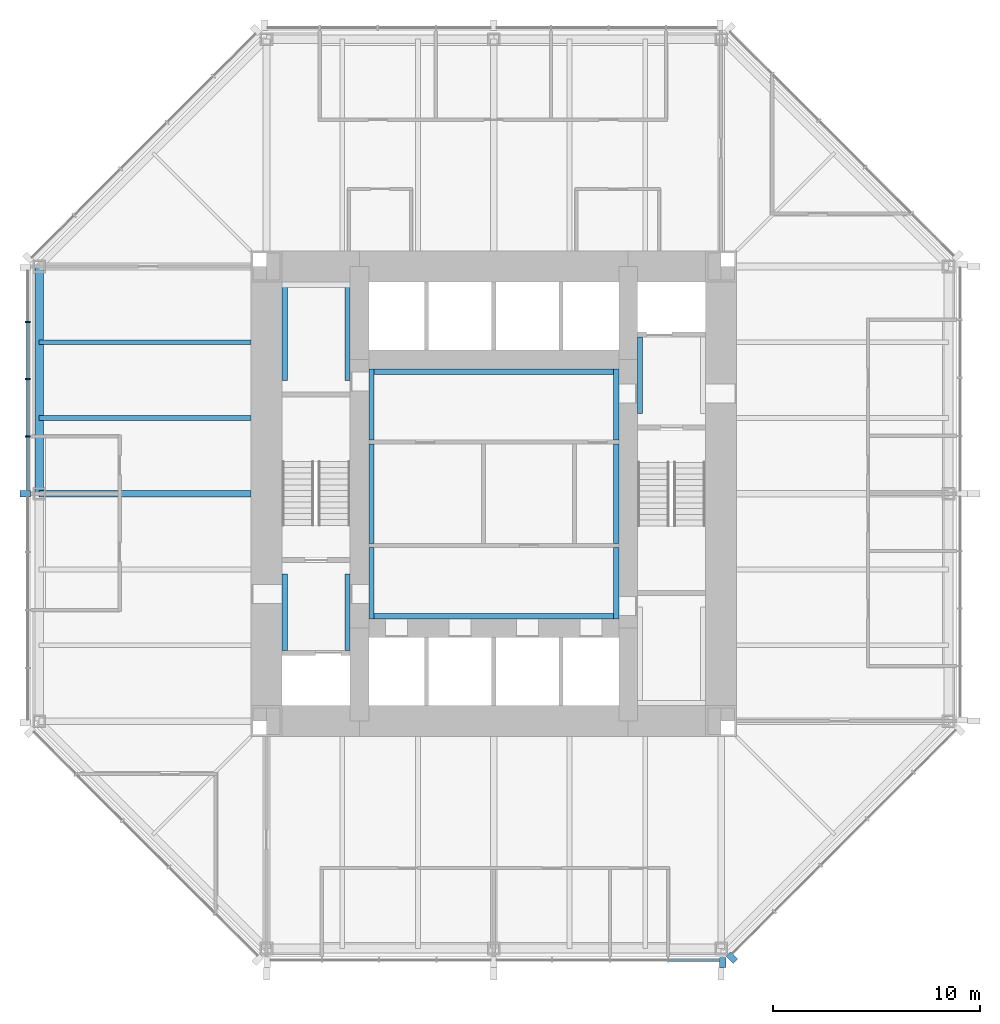
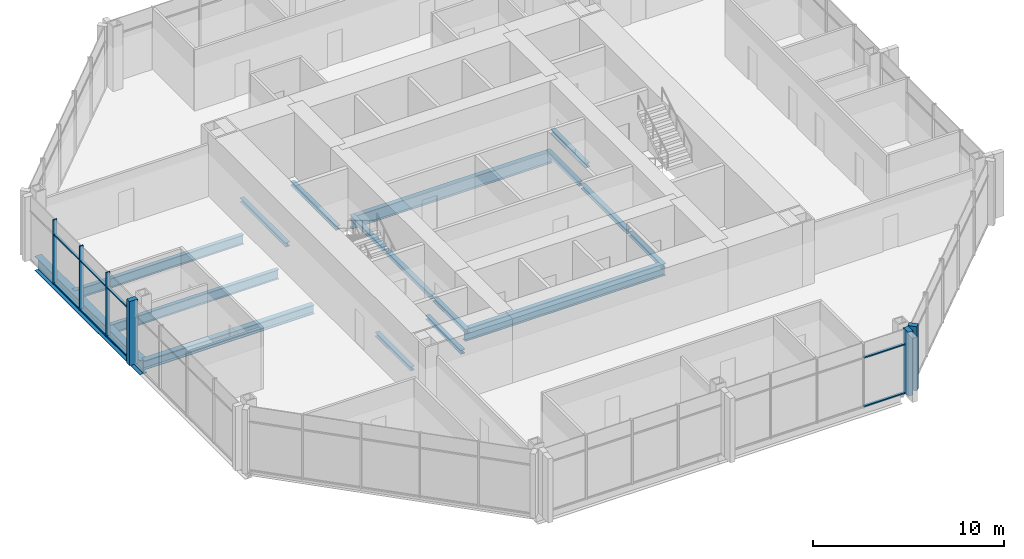
# One storey, part 3 of 12: 17 beams, 14 members, 3 elements without a shape of their own.
"""IFC4 building model written with IfcOpenShell, lengths in metres."""

from ifc_helpers import new_model, si_unit, direction, frame, origin, origin_2d, place, context, subcontext, project, spatial, rectangle, i_section, extrude, material, material_profile, profile_set, type_object, element, aggregate, save


model = new_model("IFC4")

# Units and contexts
model_context = context("Model", 3, precision=1e-05, world=origin(), true_north=direction((0.0, 1.0)))
body_context = subcontext(model_context, "Body", "Model", "MODEL_VIEW")
ifc_project = project(units=[si_unit("LENGTHUNIT", "METRE"), si_unit("AREAUNIT", "SQUARE_METRE"), si_unit("VOLUMEUNIT", "CUBIC_METRE"), si_unit("PLANEANGLEUNIT", "RADIAN"), si_unit("MASSUNIT", "GRAM", prefix="KILO")], contexts=[model_context])

# Site, building, storey
site_placement = place(None, origin())
site = spatial("IfcSite", under=ifc_project, at=site_placement, CompositionType="ELEMENT")
building_placement = place(site_placement, origin())
building = spatial("IfcBuilding", under=site, at=building_placement, Name="Trevanion Tower", CompositionType="ELEMENT")
storey_placement = place(building_placement, frame((0.0, 0.0, 154.10009765625)))
storey = spatial("IfcBuildingStorey", under=building, at=storey_placement, Name="L36", CompositionType="ELEMENT", Elevation=154.10009765625)

# Beams
ifc_material_1 = material(Name="Steel ASTM A992 Grade 50", Category="steel")
ifc_material_profile_1 = material_profile(ifc_material_1, i_section(OverallWidth=0.22900390625, OverallDepth=0.612060546875, WebThickness=0.011962890625, FlangeThickness=0.01953125, at=origin_2d()), Name="W24X84")
ifc_profile_set_1 = profile_set([ifc_material_profile_1], Name="Steel ASTM A992 Grade 50")
beam_type_1 = type_object("IfcBeamType", Name="B7 W24X84", PredefinedType="BEAM", material=ifc_profile_set_1)
for number, where, z_axis, x_axis, name in (
    (1, (-11.75, 7.333251953125, -0.49609375), (-1.0, 0.0, 0.0), (0.0, -1.0, 0.0), "B7 L36"),
    (2, (-11.75, 3.666748046875, -0.49609375), (-1.0, 0.0, 0.0), (0.0, -1.0, 0.0), "B7 L36"),
):
    element("IfcBeam", number, at=place(storey_placement, frame(where, z_axis=z_axis, x_axis=x_axis)), inside=storey, type_object=beam_type_1, Name=name, PredefinedType="BEAM", context=body_context, shape_type="SweptSolid", body=[
        extrude(i_section(OverallWidth=0.22900390625, OverallDepth=0.612060546875, WebThickness=0.011962890625, FlangeThickness=0.01953125, at=origin_2d()), origin(), (0.0, 0.0, 1.0), 10.25),
    ])

# Curtain wall, members
ifc_material_2 = material(Name="Aluminium and glass", Category="aluminium")
curtain_wall_type = type_object("IfcCurtainWallType", Name="CW2 curtain wall", PredefinedType="USERDEFINED", material=ifc_material_2)
curtain_wall_1_placement = place(storey_placement, origin())
curtain_wall_1 = element("IfcCurtainWall", 3, at=curtain_wall_1_placement, inside=storey, type_object=curtain_wall_type, Name="CW2 L36 4", ObjectType="UNITISED CURTAIN WALL", PredefinedType="USERDEFINED")
ifc_material_3 = material(Name="Aluminium extrusion, anodised bronze", Category="aluminium")
ifc_material_profile_2 = material_profile(ifc_material_3, rectangle(XDim=0.074951171875, YDim=0.25, at=origin_2d()), Name="CW2 mullion")
ifc_profile_set_2 = profile_set([ifc_material_profile_2], Name="Aluminium extrusion, anodised bronze")
member_type_1 = type_object("IfcMemberType", Name="CW2 mullion", PredefinedType="MULLION", material=ifc_profile_set_2)
member_1_placement = place(storey_placement, frame((-22.550048828125, 8.323486328125, -0.190185546875), z_axis=(0.0, 0.0, 1.0), x_axis=(0.0, -1.0, 0.0)))
member_1 = element("IfcMember", 4, at=member_1_placement, type_object=member_type_1, Name="CW2 mullion 2", PredefinedType="MULLION", context=body_context, shape_type="SweptSolid", body=[
    extrude(rectangle(XDim=0.074951171875, YDim=0.25, at=origin_2d()), origin(), (0.0, 0.0, 1.0), 4.10009765625),
])
member_2_placement = place(storey_placement, frame((-22.550048828125, 5.548828125, -0.190185546875), z_axis=(0.0, 0.0, 1.0), x_axis=(0.0, -1.0, 0.0)))
member_2 = element("IfcMember", 5, at=member_2_placement, type_object=member_type_1, Name="CW2 mullion 3", PredefinedType="MULLION", context=body_context, shape_type="SweptSolid", body=[
    extrude(rectangle(XDim=0.074951171875, YDim=0.25, at=origin_2d()), origin(), (0.0, 0.0, 1.0), 4.10009765625),
])
member_3_placement = place(storey_placement, frame((-22.550048828125, 2.7744140625, -0.190185546875), z_axis=(0.0, 0.0, 1.0), x_axis=(0.0, -1.0, 0.0)))
member_3 = element("IfcMember", 6, at=member_3_placement, type_object=member_type_1, Name="CW2 mullion 4", PredefinedType="MULLION", context=body_context, shape_type="SweptSolid", body=[
    extrude(rectangle(XDim=0.074951171875, YDim=0.25, at=origin_2d()), origin(), (0.0, 0.0, 1.0), 4.10009765625),
])
ifc_material_4 = material(Name="Aluminium extrusion, anodised bronze", Category="aluminium")
ifc_material_profile_3 = material_profile(ifc_material_4, rectangle(XDim=0.300048828125, YDim=0.5, at=origin_2d()), Name="CW2 pier mullion")
ifc_profile_set_3 = profile_set([ifc_material_profile_3], Name="Aluminium extrusion, anodised bronze")
member_type_2 = type_object("IfcMemberType", Name="CW2 pier mullion", PredefinedType="MULLION", material=ifc_profile_set_3)
member_4_placement = place(storey_placement, frame((-22.675048828125, 0.0, -0.190185546875), z_axis=(0.0, 0.0, 1.0), x_axis=(0.0, -1.0, 0.0)))
member_4 = element("IfcMember", 7, at=member_4_placement, type_object=member_type_2, Name="CW2 pier mullion 5", PredefinedType="MULLION", context=body_context, shape_type="SweptSolid", body=[
    extrude(rectangle(XDim=0.300048828125, YDim=0.5, at=origin_2d()), origin(), (0.0, 0.0, 1.0), 4.10009765625),
])

# Curtain wall, member
curtain_wall_2_placement = place(storey_placement, origin())
curtain_wall_2 = element("IfcCurtainWall", 8, at=curtain_wall_2_placement, inside=storey, type_object=curtain_wall_type, Name="CW2 L36 6", ObjectType="UNITISED CURTAIN WALL", PredefinedType="USERDEFINED")
member_5_placement = place(storey_placement, frame((11.077880859375, -22.675048828125, -0.190185546875), z_axis=(0.0, 0.0, 1.0), x_axis=(1.0, 0.0, 0.0)))
member_5 = element("IfcMember", 9, at=member_5_placement, type_object=member_type_2, Name="CW2 pier mullion 9", PredefinedType="MULLION", context=body_context, shape_type="SweptSolid", body=[
    extrude(rectangle(XDim=0.300048828125, YDim=0.5, at=origin_2d()), origin(), (0.0, 0.0, 1.0), 4.10009765625),
])

curtain_wall_3_placement = place(storey_placement, origin())
curtain_wall_3 = element("IfcCurtainWall", 10, at=curtain_wall_3_placement, inside=storey, type_object=curtain_wall_type, Name="CW2 L36 7", ObjectType="UNITISED CURTAIN WALL", PredefinedType="USERDEFINED")
member_6_placement = place(storey_placement, frame((11.51416015625, -22.4404296875, -0.190185546875), z_axis=(0.0, 0.0, 1.0), x_axis=(0.707106781187, 0.707106781187, 0.0)))
member_6 = element("IfcMember", 11, at=member_6_placement, type_object=member_type_2, Name="CW2 pier mullion 1", PredefinedType="MULLION", context=body_context, shape_type="SweptSolid", body=[
    extrude(rectangle(XDim=0.300048828125, YDim=0.5, at=origin_2d()), origin(), (0.0, 0.0, 1.0), 4.10009765625),
])
aggregate(curtain_wall_3, [member_6])

# Member
ifc_material_5 = material(Name="Aluminium extrusion, anodised bronze", Category="aluminium")
ifc_material_profile_4 = material_profile(ifc_material_5, rectangle(XDim=0.14990234375, YDim=0.074951171875, at=origin_2d()), Name="CW2 transom")
ifc_profile_set_4 = profile_set([ifc_material_profile_4], Name="Aluminium extrusion, anodised bronze")
member_type_3 = type_object("IfcMemberType", Name="CW2 transom", PredefinedType="USERDEFINED", material=ifc_profile_set_4)
member_7_placement = place(storey_placement, frame((-22.550048828125, 8.285888671875, -0.152587890625), z_axis=(0.0, -1.0, 0.0), x_axis=(1.0, 0.0, 0.0)))
member_7 = element("IfcMember", 12, at=member_7_placement, type_object=member_type_3, Name="CW2 transom 2.1", ObjectType="TRANSOM", PredefinedType="USERDEFINED", context=body_context, shape_type="SweptSolid", body=[
    extrude(rectangle(XDim=0.14990234375, YDim=0.074951171875, at=origin_2d()), origin(), (0.0, 0.0, 1.0), 2.699462890625),
])

member_8_placement = place(storey_placement, frame((-22.550048828125, 8.285888671875, 2.9599609375), z_axis=(0.0, -1.0, 0.0), x_axis=(1.0, 0.0, 0.0)))
member_8 = element("IfcMember", 13, at=member_8_placement, type_object=member_type_3, Name="CW2 transom 2.2", ObjectType="TRANSOM", PredefinedType="USERDEFINED", context=body_context, shape_type="SweptSolid", body=[
    extrude(rectangle(XDim=0.14990234375, YDim=0.074951171875, at=origin_2d()), origin(), (0.0, 0.0, 1.0), 2.699462890625),
])

member_9_placement = place(storey_placement, frame((-22.550048828125, 5.511474609375, -0.152587890625), z_axis=(0.0, -1.0, 0.0), x_axis=(1.0, 0.0, 0.0)))
member_9 = element("IfcMember", 14, at=member_9_placement, type_object=member_type_3, Name="CW2 transom 3.1", ObjectType="TRANSOM", PredefinedType="USERDEFINED", context=body_context, shape_type="SweptSolid", body=[
    extrude(rectangle(XDim=0.14990234375, YDim=0.074951171875, at=origin_2d()), origin(), (0.0, 0.0, 1.0), 2.699462890625),
])

member_10_placement = place(storey_placement, frame((-22.550048828125, 5.511474609375, 2.9599609375), z_axis=(0.0, -1.0, 0.0), x_axis=(1.0, 0.0, 0.0)))
member_10 = element("IfcMember", 15, at=member_10_placement, type_object=member_type_3, Name="CW2 transom 3.2", ObjectType="TRANSOM", PredefinedType="USERDEFINED", context=body_context, shape_type="SweptSolid", body=[
    extrude(rectangle(XDim=0.14990234375, YDim=0.074951171875, at=origin_2d()), origin(), (0.0, 0.0, 1.0), 2.699462890625),
])

member_11_placement = place(storey_placement, frame((-22.550048828125, 2.737060546875, -0.152587890625), z_axis=(0.0, -1.0, 0.0), x_axis=(1.0, 0.0, 0.0)))
member_11 = element("IfcMember", 16, at=member_11_placement, type_object=member_type_3, Name="CW2 transom 4.1", ObjectType="TRANSOM", PredefinedType="USERDEFINED", context=body_context, shape_type="SweptSolid", body=[
    extrude(rectangle(XDim=0.14990234375, YDim=0.074951171875, at=origin_2d()), origin(), (0.0, 0.0, 1.0), 2.587158203125),
])

member_12_placement = place(storey_placement, frame((-22.550048828125, 2.737060546875, 2.9599609375), z_axis=(0.0, -1.0, 0.0), x_axis=(1.0, 0.0, 0.0)))
member_12 = element("IfcMember", 17, at=member_12_placement, type_object=member_type_3, Name="CW2 transom 4.2", ObjectType="TRANSOM", PredefinedType="USERDEFINED", context=body_context, shape_type="SweptSolid", body=[
    extrude(rectangle(XDim=0.14990234375, YDim=0.074951171875, at=origin_2d()), origin(), (0.0, 0.0, 1.0), 2.587158203125),
])

aggregate(curtain_wall_1, [member_1, member_2, member_3, member_4, member_7, member_8, member_9, member_10, member_11, member_12])

member_13_placement = place(storey_placement, frame((8.45849609375, -22.550048828125, -0.152587890625), z_axis=(1.0, 0.0, 0.0), x_axis=(0.0, 1.0, 0.0)))
member_13 = element("IfcMember", 18, at=member_13_placement, type_object=member_type_3, Name="CW2 transom 8.1", ObjectType="TRANSOM", PredefinedType="USERDEFINED", context=body_context, shape_type="SweptSolid", body=[
    extrude(rectangle(XDim=0.14990234375, YDim=0.074951171875, at=origin_2d()), origin(), (0.0, 0.0, 1.0), 2.46923828125),
])

member_14_placement = place(storey_placement, frame((8.45849609375, -22.550048828125, 2.9599609375), z_axis=(1.0, 0.0, 0.0), x_axis=(0.0, 1.0, 0.0)))
member_14 = element("IfcMember", 19, at=member_14_placement, type_object=member_type_3, Name="CW2 transom 8.2", ObjectType="TRANSOM", PredefinedType="USERDEFINED", context=body_context, shape_type="SweptSolid", body=[
    extrude(rectangle(XDim=0.14990234375, YDim=0.074951171875, at=origin_2d()), origin(), (0.0, 0.0, 1.0), 2.46923828125),
])

aggregate(curtain_wall_2, [member_5, member_13, member_14])

# Beams
ifc_material_6 = material(Name="Steel ASTM A992 Grade 50", Category="steel")
ifc_material_profile_5 = material_profile(ifc_material_6, i_section(OverallWidth=0.320068359375, OverallDepth=0.584228515625, WebThickness=0.023193359375, FlangeThickness=0.04150390625, at=origin_2d()), Name="W21X201")
ifc_profile_set_5 = profile_set([ifc_material_profile_5], Name="Steel ASTM A992 Grade 50")
beam_type_2 = type_object("IfcBeamType", Name="G4 W21X201", PredefinedType="BEAM", material=ifc_profile_set_5)
beam_1_placement = place(storey_placement, frame((-11.75, 0.0, -0.482177734375), z_axis=(-1.0, 0.0, 0.0), x_axis=(0.0, -1.0, 0.0)))
element("IfcBeam", 20, at=beam_1_placement, inside=storey, type_object=beam_type_2, Name="G4 L36", PredefinedType="BEAM", context=body_context, shape_type="SweptSolid", body=[
    extrude(i_section(OverallWidth=0.320068359375, OverallDepth=0.584228515625, WebThickness=0.023193359375, FlangeThickness=0.04150390625, at=origin_2d()), origin(), (0.0, 0.0, 1.0), 10.25),
])
ifc_material_7 = material(Name="Steel ASTM A992 Grade 50", Category="steel")
ifc_material_profile_6 = material_profile(ifc_material_7, i_section(OverallWidth=0.256591796875, OverallDepth=0.26416015625, WebThickness=0.011962890625, FlangeThickness=0.01953125, at=origin_2d()), Name="W10X68")
ifc_profile_set_6 = profile_set([ifc_material_profile_6], Name="Steel ASTM A992 Grade 50")
beam_type_3 = type_object("IfcBeamType", Name="LB1 W10X68", PredefinedType="BEAM", material=ifc_profile_set_6)
for number, where, z_axis, x_axis, name in (
    (21, (-5.921630859375, 2.60009765625, -0.332275390625), (0.0, 1.0, 0.0), (-1.0, 0.0, 0.0), "LB1 L36"),
    (22, (5.921630859375, 2.60009765625, -0.332275390625), (0.0, 1.0, 0.0), (-1.0, 0.0, 0.0), "LB1 L36"),
    (23, (-5.921630859375, -6.050048828125, -0.332275390625), (0.0, 1.0, 0.0), (-1.0, 0.0, 0.0), "LB1 L36"),
    (24, (5.921630859375, -6.050048828125, -0.332275390625), (0.0, 1.0, 0.0), (-1.0, 0.0, 0.0), "LB1 L36"),
):
    element("IfcBeam", number, at=place(storey_placement, frame(where, z_axis=z_axis, x_axis=x_axis)), inside=storey, type_object=beam_type_3, Name=name, PredefinedType="BEAM", context=body_context, shape_type="SweptSolid", body=[
        extrude(i_section(OverallWidth=0.256591796875, OverallDepth=0.26416015625, WebThickness=0.011962890625, FlangeThickness=0.01953125, at=origin_2d()), origin(), (0.0, 0.0, 1.0), 3.449951171875),
    ])
for number, where, z_axis, x_axis, name in (
    (25, (7.078369140625, 3.875, -0.332275390625), (0.0, 1.0, 0.0), (-1.0, 0.0, 0.0), "LB1 L36"),
    (26, (-10.12158203125, -7.574951171875, -0.332275390625), (0.0, 1.0, 0.0), (-1.0, 0.0, 0.0), "LB1 L36"),
    (27, (-7.078369140625, -7.574951171875, -0.332275390625), (0.0, 1.0, 0.0), (-1.0, 0.0, 0.0), "LB1 L36"),
):
    element("IfcBeam", number, at=place(storey_placement, frame(where, z_axis=z_axis, x_axis=x_axis)), inside=storey, type_object=beam_type_3, Name=name, PredefinedType="BEAM", context=body_context, shape_type="SweptSolid", body=[
        extrude(i_section(OverallWidth=0.256591796875, OverallDepth=0.26416015625, WebThickness=0.011962890625, FlangeThickness=0.01953125, at=origin_2d()), origin(), (0.0, 0.0, 1.0), 3.699951171875),
    ])
for number, where, z_axis, x_axis, name in (
    (28, (-10.12158203125, 5.47509765625, -0.332275390625), (0.0, 1.0, 0.0), (-1.0, 0.0, 0.0), "LB1 L36"),
    (29, (-7.078369140625, 5.47509765625, -0.332275390625), (0.0, 1.0, 0.0), (-1.0, 0.0, 0.0), "LB1 L36"),
):
    element("IfcBeam", number, at=place(storey_placement, frame(where, z_axis=z_axis, x_axis=x_axis)), inside=storey, type_object=beam_type_3, Name=name, PredefinedType="BEAM", context=body_context, shape_type="SweptSolid", body=[
        extrude(i_section(OverallWidth=0.256591796875, OverallDepth=0.26416015625, WebThickness=0.011962890625, FlangeThickness=0.01953125, at=origin_2d()), origin(), (0.0, 0.0, 1.0), 4.77490234375),
    ])
for number, where, z_axis, x_axis, name in (
    (30, (-5.921630859375, -2.39990234375, -0.332275390625), (0.0, 1.0, 0.0), (-1.0, 0.0, 0.0), "LB1 L36"),
    (31, (5.921630859375, -2.39990234375, -0.332275390625), (0.0, 1.0, 0.0), (-1.0, 0.0, 0.0), "LB1 L36"),
):
    element("IfcBeam", number, at=place(storey_placement, frame(where, z_axis=z_axis, x_axis=x_axis)), inside=storey, type_object=beam_type_3, Name=name, PredefinedType="BEAM", context=body_context, shape_type="SweptSolid", body=[
        extrude(i_section(OverallWidth=0.256591796875, OverallDepth=0.26416015625, WebThickness=0.011962890625, FlangeThickness=0.01953125, at=origin_2d()), origin(), (0.0, 0.0, 1.0), 4.7998046875),
    ])
ifc_material_8 = material(Name="Steel ASTM A992 Grade 50", Category="steel")
ifc_material_profile_7 = material_profile(ifc_material_8, i_section(OverallWidth=0.2666015625, OverallDepth=0.76953125, WebThickness=0.015625, FlangeThickness=0.025390625, at=origin_2d()), Name="W30X132")
ifc_profile_set_7 = profile_set([ifc_material_profile_7], Name="Steel ASTM A992 Grade 50")
beam_type_4 = type_object("IfcBeamType", Name="LB3 W30X132", PredefinedType="BEAM", material=ifc_profile_set_7)
for number, where, z_axis, x_axis, name in (
    (32, (-6.050048828125, 5.91650390625, -0.5849609375), (1.0, 0.0, 0.0), (0.0, 1.0, 0.0), "LB3 L36"),
    (33, (-6.050048828125, -5.91650390625, -0.5849609375), (1.0, 0.0, 0.0), (0.0, 1.0, 0.0), "LB3 L36"),
):
    element("IfcBeam", number, at=place(storey_placement, frame(where, z_axis=z_axis, x_axis=x_axis)), inside=storey, type_object=beam_type_4, Name=name, PredefinedType="BEAM", context=body_context, shape_type="SweptSolid", body=[
        extrude(i_section(OverallWidth=0.2666015625, OverallDepth=0.76953125, WebThickness=0.015625, FlangeThickness=0.025390625, at=origin_2d()), origin(), (0.0, 0.0, 1.0), 12.10009765625),
    ])
ifc_material_9 = material(Name="Steel ASTM A992 Grade 50", Category="steel")
ifc_material_profile_8 = material_profile(ifc_material_9, i_section(OverallWidth=0.419189453125, OverallDepth=0.927001953125, WebThickness=0.019287109375, FlangeThickness=0.031982421875, at=origin_2d()), Name="W36X231")
ifc_profile_set_8 = profile_set([ifc_material_profile_8], Name="Steel ASTM A992 Grade 50")
beam_type_5 = type_object("IfcBeamType", Name="SB4 W36X231", PredefinedType="SPANDREL", material=ifc_profile_set_8)
beam_2_placement = place(storey_placement, frame((-22.0, 11.0, -0.65380859375), z_axis=(0.0, -1.0, 0.0), x_axis=(1.0, 0.0, 0.0)))
element("IfcBeam", 34, at=beam_2_placement, inside=storey, type_object=beam_type_5, Name="SB4 L36", PredefinedType="SPANDREL", context=body_context, shape_type="SweptSolid", body=[
    extrude(i_section(OverallWidth=0.419189453125, OverallDepth=0.927001953125, WebThickness=0.019287109375, FlangeThickness=0.031982421875, at=origin_2d()), origin(), (0.0, 0.0, 1.0), 11.0),
])

save(model, "model.ifc")
